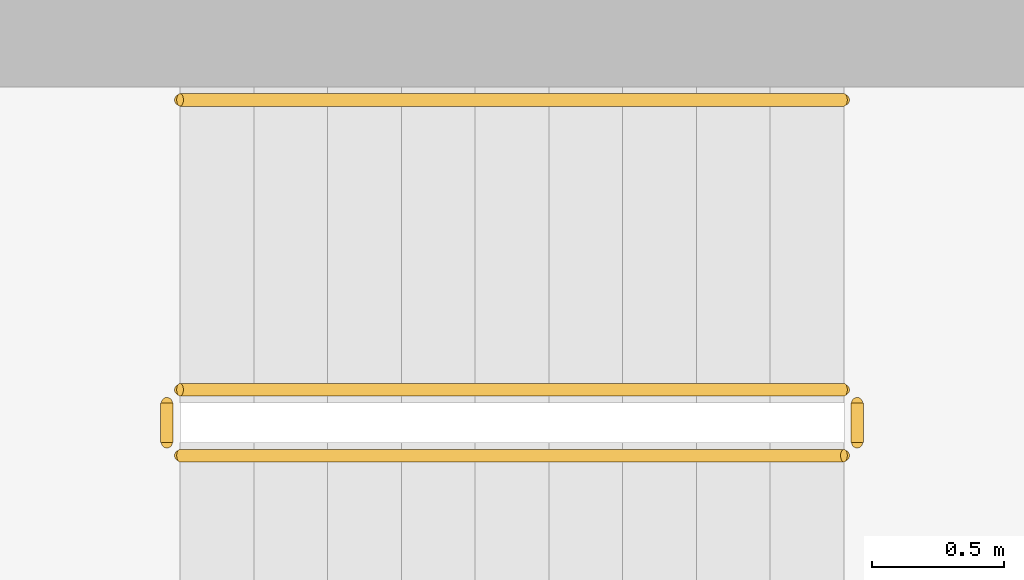
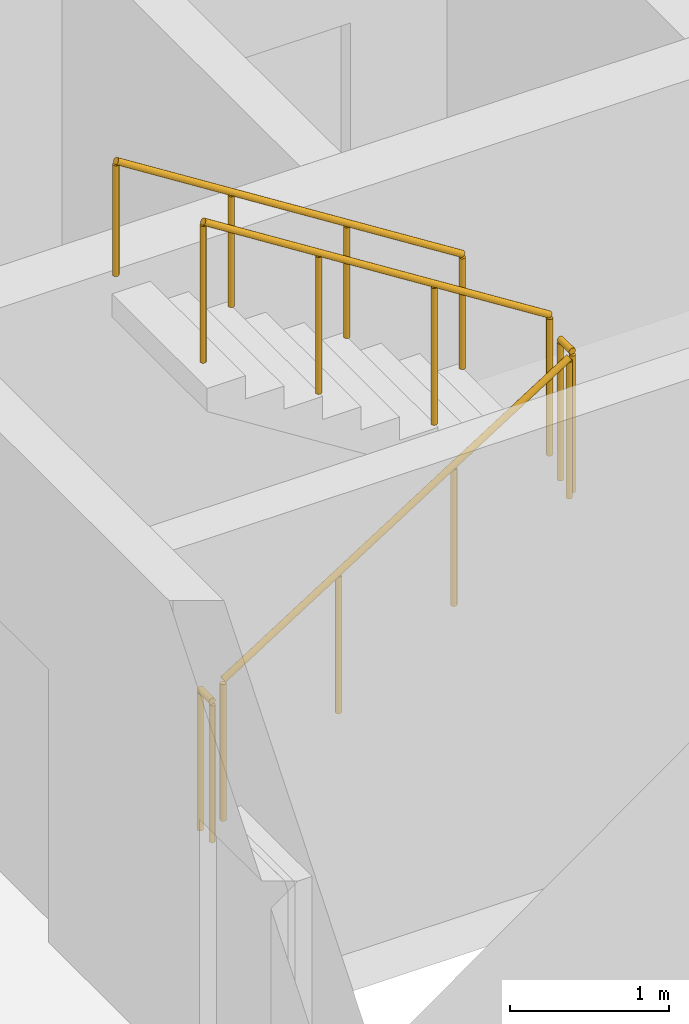
# One storey, part 15 of 17: 5 railings.
"""IFC4 building model written with IfcOpenShell, lengths in metres."""

import ifcopenshell
import ifcopenshell.guid

model = None  # the IFC model being written
_history = None  # IfcOwnerHistory: only IFC2X3 demands one
_inside = {}  # id of a spatial element -> (the spatial element, [elements in it])
_under = {}  # id of a project, library or spatial element -> (it, [spatial elements below it])
_declared = {}  # id of a project -> (the project, [libraries it declares])
_typed = {}  # id of a type object -> (the type object, [elements of that type])
_made_of = {}  # id of a material, layer set ... -> (it, [elements and type objects made of it])


def new_model(schema):
    """Start an empty IFC model of exactly this schema.

    Asked for "IFC4X3", IfcOpenShell would pick the latest addendum, in which some entities
    have other attributes; the version numbers below select the first issue.
    IFC2X3 requires an IfcOwnerHistory on every rooted entity: one is made here for all.
    """
    global model, _history
    if schema == "IFC4X3":
        model = ifcopenshell.file(schema_version=(4, 3, 0, 0))
    else:
        model = ifcopenshell.file(schema=schema)
    _inside.clear()
    _under.clear()
    _declared.clear()
    _typed.clear()
    _made_of.clear()
    _history = None
    if model.schema == "IFC2X3":
        org = make("IfcOrganization", Name="unknown")
        user = make(
            "IfcPersonAndOrganization",
            ThePerson=make("IfcPerson", FamilyName="unknown"),
            TheOrganization=org,
        )
        app = make(
            "IfcApplication",
            ApplicationDeveloper=org,
            Version="unknown",
            ApplicationFullName="unknown",
            ApplicationIdentifier="unknown",
        )
        _history = make(
            "IfcOwnerHistory",
            OwningUser=user,
            OwningApplication=app,
            ChangeAction="ADDED",
            CreationDate=0,
        )
    return model


def make(cls, **values):
    """One entity of the class cls with the attributes given. An attribute that is None is left unset."""
    return model.create_entity(
        cls, **{name: value for name, value in values.items() if value is not None}
    )


def rooted(cls, **values):
    """An entity with a GlobalId (a new one), such as an element, a storey or a relation."""
    return make(cls, GlobalId=ifcopenshell.guid.new(), OwnerHistory=_history, **values)


def si_unit(unit_type, name, prefix=None):
    """IfcSIUnit, for example si_unit("LENGTHUNIT", "METRE", prefix="MILLI")."""
    return make("IfcSIUnit", UnitType=unit_type, Prefix=prefix, Name=name)


def assignment(units):
    """IfcUnitAssignment: the units of a project."""
    return None if units is None else make("IfcUnitAssignment", Units=units)


def point(xyz):
    """IfcCartesianPoint."""
    return None if xyz is None else make("IfcCartesianPoint", Coordinates=xyz)


def direction(xyz):
    """IfcDirection."""
    return None if xyz is None else make("IfcDirection", DirectionRatios=xyz)


def frame(location, z_axis=None, x_axis=None):
    """IfcAxis2Placement3D, a coordinate frame: its origin and axes. An axis left out is left unset."""
    return make(
        "IfcAxis2Placement3D",
        Location=point(location),
        Axis=direction(z_axis),
        RefDirection=direction(x_axis),
    )


def frame_2d(location, x_axis=None):
    """IfcAxis2Placement2D, a coordinate frame in the plane: its origin and x axis."""
    return make(
        "IfcAxis2Placement2D", Location=point(location), RefDirection=direction(x_axis)
    )


def origin():
    """The frame at (0, 0, 0) with its axes left unset."""
    return frame((0.0, 0.0, 0.0))


def origin_2d():
    """The frame at (0, 0) in the plane with its x axis left unset."""
    return frame_2d((0.0, 0.0))


def place(relative_to, where):
    """IfcLocalPlacement: puts the frame where relative to a parent placement (None: the world)."""
    return make(
        "IfcLocalPlacement", PlacementRelTo=relative_to, RelativePlacement=where
    )


def context(
    kind, dimensions, precision=None, world=None, true_north=None, identifier=None
):
    """IfcGeometricRepresentationContext, for example the 3D "Model" context."""
    return make(
        "IfcGeometricRepresentationContext",
        ContextIdentifier=identifier,
        ContextType=kind,
        CoordinateSpaceDimension=dimensions,
        Precision=precision,
        WorldCoordinateSystem=world,
        TrueNorth=true_north,
    )


def subcontext(parent, identifier, kind, view, scale=None):
    """IfcGeometricRepresentationSubContext, for example "Body" below "Model"."""
    return make(
        "IfcGeometricRepresentationSubContext",
        ContextIdentifier=identifier,
        ContextType=kind,
        ParentContext=parent,
        TargetScale=scale,
        TargetView=view,
    )


def project(units=None, contexts=None):
    """IfcProject with its units and contexts."""
    return rooted(
        "IfcProject",
        Name="project",
        RepresentationContexts=contexts,
        UnitsInContext=assignment(units),
    )


def spatial(cls, under=None, at=None, **own):
    """A site, building, storey or space (cls), placed at a placement, below another one or the project."""
    s = rooted(cls, ObjectPlacement=at, **own)
    if under is not None:
        _under.setdefault(under.id(), (under, []))[1].append(s)
    return s


def profile(cls, at=None, kind="AREA", **sizes):
    """A parametric profile (cls). Its sizes go by their IFC names, for example OverallWidth=200.0."""
    return make(cls, ProfileType=kind, Position=at, **sizes)


def circle(**sizes):
    """IfcCircleProfileDef."""
    return profile("IfcCircleProfileDef", **sizes)


def extrude(swept, where, along, depth):
    """IfcExtrudedAreaSolid: the profile swept, set in the frame where, extruded along a direction by depth."""
    return make(
        "IfcExtrudedAreaSolid",
        SweptArea=swept,
        Position=where,
        ExtrudedDirection=direction(along),
        Depth=depth,
    )


def shape(context_of_items, identifier, shape_type, items):
    """IfcShapeRepresentation: the items that make up one representation, for example the "Body"."""
    return make(
        "IfcShapeRepresentation",
        ContextOfItems=context_of_items,
        RepresentationIdentifier=identifier,
        RepresentationType=shape_type,
        Items=items,
    )


def material(Name=None, Category=None):
    """IfcMaterial."""
    return make("IfcMaterial", Name=Name, Category=Category)


def made_of(thing, what):
    """Note that an element or type object is made of a material, layer set ...; save() writes the relation."""
    if what is not None:
        _made_of.setdefault(what.id(), (what, []))[1].append(thing)
    return thing


def type_object(cls, material=None, **own):
    """A type object (cls), such as IfcWallType, which elements share."""
    return made_of(rooted(cls, **own), material)


def element(
    cls,
    number,
    at=None,
    inside=None,
    cuts=None,
    type_object=None,
    material=None,
    context=None,
    identifier="Body",
    shape_type=None,
    held_by="IfcProductDefinitionShape",
    body=None,
    shapes=None,
    **own,
):
    """One element of the class cls, such as IfcWall. Its Tag is "e" and its number.

    at: its placement. inside: the storey or other place that contains it. cuts: it is an
    opening in that element (IfcRelVoidsElement). A single representation is given by context,
    identifier, shape_type and body (its items); several are given by shapes. held_by: the class
    of the entity that holds the representations. save() writes the other relations.
    """
    e = rooted(cls, Tag="e%d" % number, ObjectPlacement=at, **own)
    if body is not None:
        shapes = [shape(context, identifier, shape_type, body)]
    if shapes is not None:
        e.Representation = make(held_by, Representations=shapes)
    if inside is not None:
        _inside.setdefault(inside.id(), (inside, []))[1].append(e)
    if cuts is not None:
        rooted(
            "IfcRelVoidsElement", RelatingBuildingElement=cuts, RelatedOpeningElement=e
        )
    if type_object is not None:
        _typed.setdefault(type_object.id(), (type_object, []))[1].append(e)
    return made_of(e, material)


def aggregate(whole, parts):
    """IfcRelAggregates: a whole, such as a stair, and the parts it consists of."""
    return rooted("IfcRelAggregates", RelatingObject=whole, RelatedObjects=parts)


def save(model, path):
    """Write the relations noted so far, then the file.

    IfcRelAggregates (storeys below a building ...), IfcRelContainedInSpatialStructure (elements
    in a storey), IfcRelDefinesByType, IfcRelAssociatesMaterial and IfcRelDeclares: one each for
    every whole, place, type object, material and project.
    """
    for whole, parts in _under.values():
        aggregate(whole, parts)
    for where, things in _inside.values():
        rooted(
            "IfcRelContainedInSpatialStructure",
            RelatedElements=things,
            RelatingStructure=where,
        )
    for kind, things in _typed.values():
        rooted("IfcRelDefinesByType", RelatedObjects=things, RelatingType=kind)
    for what, things in _made_of.values():
        rooted("IfcRelAssociatesMaterial", RelatedObjects=things, RelatingMaterial=what)
    for by, libraries in _declared.values():
        rooted("IfcRelDeclares", RelatingContext=by, RelatedDefinitions=libraries)
    model.write(path)


model = new_model("IFC4")

# Units and contexts
model_context = context("Model", 3, precision=1e-05, world=origin(), true_north=direction((0.0, 1.0)))
body_context = subcontext(model_context, "Body", "Model", "MODEL_VIEW")
ifc_project = project(units=[si_unit("LENGTHUNIT", "METRE"), si_unit("AREAUNIT", "SQUARE_METRE"), si_unit("VOLUMEUNIT", "CUBIC_METRE"), si_unit("PLANEANGLEUNIT", "RADIAN"), si_unit("MASSUNIT", "GRAM", prefix="KILO")], contexts=[model_context])

# Site, building, storey
site_placement = place(None, origin())
site = spatial("IfcSite", under=ifc_project, at=site_placement, CompositionType="ELEMENT")
building_placement = place(site_placement, origin())
building = spatial("IfcBuilding", under=site, at=building_placement, Name="Ostrand Prow Hotel Tower", CompositionType="ELEMENT")
storey_placement = place(building_placement, frame((0.0, 0.0, 137.300048828125)))
storey = spatial("IfcBuildingStorey", under=building, at=storey_placement, Name="L33", CompositionType="ELEMENT", Elevation=137.300048828125)

# Railings
ifc_material_1 = material(Name="Painted steel", Category="steel")
railing_type_1 = type_object("IfcRailingType", Name="Stair guard 1100", PredefinedType="GUARDRAIL", material=ifc_material_1)
railing_1_placement = place(storey_placement, frame((57.199951171875, -11.75, 0.177490234375)))
element("IfcRailing", 1, at=railing_1_placement, inside=storey, type_object=railing_type_1, Name="L33 ST2C stair guard 1", PredefinedType="GUARDRAIL", context=body_context, shape_type="SweptSolid", body=[
    extrude(circle(Radius=0.02392578125, at=origin_2d()), frame((0.0, 0.0, 1.076171875), z_axis=(0.84460694969, 0.0, 0.535386869969), x_axis=(0.0, 1.0, 0.0)), (0.0, 0.0, 1.0), 2.983642578125),
    extrude(circle(Radius=0.02099609375, at=origin_2d()), origin(), (0.0, 0.0, 1.0), 1.052001953125),
    extrude(circle(Radius=0.02099609375, at=origin_2d()), frame((0.840087890625, 0.0, 0.532470703125)), (0.0, 0.0, 1.0), 1.052001953125),
    extrude(circle(Radius=0.02099609375, at=origin_2d()), frame((1.679931640625, 0.0, 1.06494140625)), (0.0, 0.0, 1.0), 1.052001953125),
    extrude(circle(Radius=0.02099609375, at=origin_2d()), frame((2.52001953125, 0.0, 1.597412109375)), (0.0, 0.0, 1.0), 1.052001953125),
])
railing_2_placement = place(storey_placement, frame((59.77001953125, -11.699951171875, 1.77490234375)))
element("IfcRailing", 2, at=railing_2_placement, inside=storey, type_object=railing_type_1, Name="L33 ST2C stair guard 2", PredefinedType="GUARDRAIL", context=body_context, shape_type="SweptSolid", body=[
    extrude(circle(Radius=0.02392578125, at=origin_2d()), frame((0.0, 0.0, 1.076171875), z_axis=(0.0, 1.0, 0.0), x_axis=(-1.0, 0.0, 0.0)), (0.0, 0.0, 1.0), 0.14990234375),
    extrude(circle(Radius=0.02099609375, at=origin_2d()), origin(), (0.0, 0.0, 1.0), 1.052001953125),
    extrude(circle(Radius=0.02099609375, at=origin_2d()), frame((0.0, 0.14990234375, 0.0)), (0.0, 0.0, 1.0), 1.052001953125),
])
railing_3_placement = place(storey_placement, frame((59.719970703125, -11.5, 1.952392578125)))
element("IfcRailing", 3, at=railing_3_placement, inside=storey, type_object=railing_type_1, Name="L33 ST2C stair guard 3", PredefinedType="GUARDRAIL", context=body_context, shape_type="SweptSolid", body=[
    extrude(circle(Radius=0.02392578125, at=origin_2d()), frame((0.0, 0.0, 1.076171875), z_axis=(-0.84456994832, 0.0, 0.535445237532), x_axis=(0.0, -1.0, 0.0)), (0.0, 0.0, 1.0), 2.98388671875),
    extrude(circle(Radius=0.02099609375, at=origin_2d()), origin(), (0.0, 0.0, 1.0), 1.052001953125),
    extrude(circle(Radius=0.02099609375, at=origin_2d()), frame((-0.840087890625, 0.0, 0.532470703125)), (0.0, 0.0, 1.0), 1.052001953125),
    extrude(circle(Radius=0.02099609375, at=origin_2d()), frame((-1.679931640625, 0.0, 1.065185546875)), (0.0, 0.0, 1.0), 1.052001953125),
    extrude(circle(Radius=0.02099609375, at=origin_2d()), frame((-2.52001953125, 0.0, 1.59765625)), (0.0, 0.0, 1.0), 1.052001953125),
])
railing_4_placement = place(storey_placement, frame((57.14990234375, -11.699951171875, 0.0)))
element("IfcRailing", 4, at=railing_4_placement, inside=storey, type_object=railing_type_1, Name="L33 ST2C stair guard 4", PredefinedType="GUARDRAIL", context=body_context, shape_type="SweptSolid", body=[
    extrude(circle(Radius=0.02392578125, at=origin_2d()), frame((0.0, 0.0, 1.076171875), z_axis=(0.0, 1.0, 0.0), x_axis=(-1.0, 0.0, 0.0)), (0.0, 0.0, 1.0), 0.14990234375),
    extrude(circle(Radius=0.02099609375, at=origin_2d()), origin(), (0.0, 0.0, 1.0), 1.052001953125),
    extrude(circle(Radius=0.02099609375, at=origin_2d()), frame((0.0, 0.14990234375, 0.0)), (0.0, 0.0, 1.0), 1.052001953125),
])
ifc_material_2 = material(Name="Stainless steel", Category="steel")
railing_type_2 = type_object("IfcRailingType", Name="Stair handrail 900", PredefinedType="HANDRAIL", material=ifc_material_2)
railing_5_placement = place(storey_placement, frame((59.719970703125, -10.39990234375, 1.952392578125)))
element("IfcRailing", 5, at=railing_5_placement, inside=storey, type_object=railing_type_2, Name="L33 ST2C stair handrail 2", PredefinedType="HANDRAIL", context=body_context, shape_type="SweptSolid", body=[
    extrude(circle(Radius=0.02392578125, at=origin_2d()), frame((0.0, 0.0, 0.8759765625), z_axis=(-0.84456994832, 0.0, 0.535445237532), x_axis=(0.0, -1.0, 0.0)), (0.0, 0.0, 1.0), 2.98388671875),
    extrude(circle(Radius=0.02099609375, at=origin_2d()), origin(), (0.0, 0.0, 1.0), 0.851806640625),
    extrude(circle(Radius=0.02099609375, at=origin_2d()), frame((-0.840087890625, 0.0, 0.532470703125)), (0.0, 0.0, 1.0), 0.851806640625),
    extrude(circle(Radius=0.02099609375, at=origin_2d()), frame((-1.679931640625, 0.0, 1.065185546875)), (0.0, 0.0, 1.0), 0.851806640625),
    extrude(circle(Radius=0.02099609375, at=origin_2d()), frame((-2.52001953125, 0.0, 1.59765625)), (0.0, 0.0, 1.0), 0.851806640625),
])

save(model, "model.ifc")
